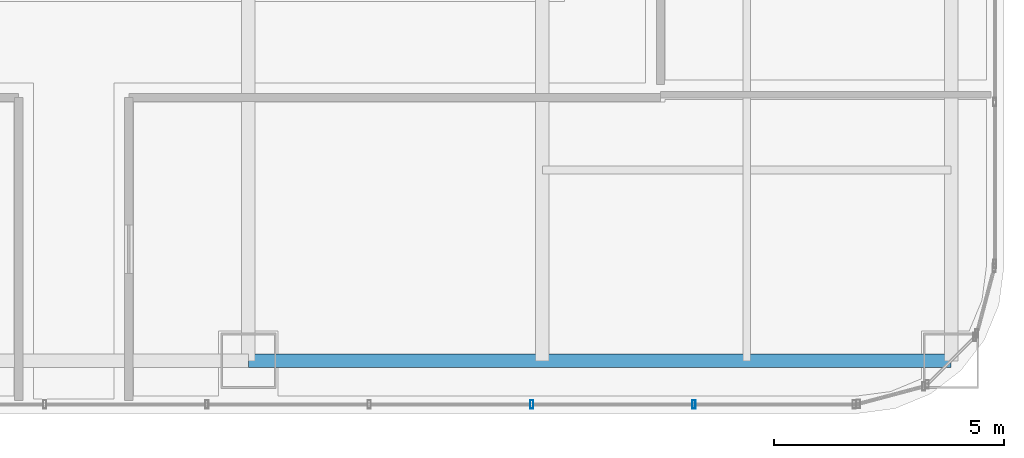
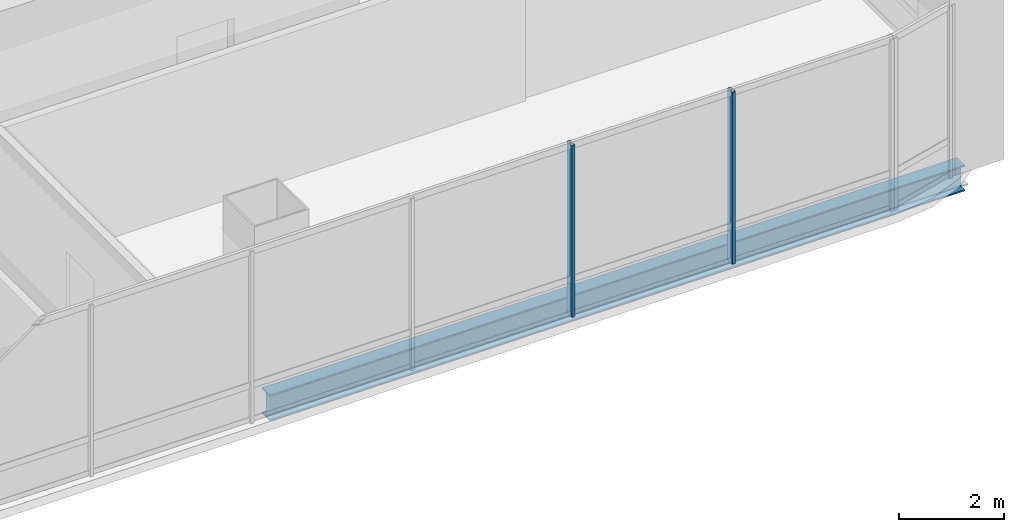
# One storey, part 15 of 41: 2 members, 1 beam, 1 element without a shape of its own.
"""IFC4 building model written with IfcOpenShell, lengths in metres."""

from ifc_helpers import new_model, si_unit, direction, frame, origin, origin_2d, place, context, subcontext, project, spatial, hollow_rectangle, i_section, extrude, material, material_profile, profile_set, type_object, element, aggregate, save


model = new_model("IFC4")

# Units and contexts
model_context = context("Model", 3, precision=1e-05, world=origin(), true_north=direction((0.0, 1.0)))
body_context = subcontext(model_context, "Body", "Model", "MODEL_VIEW")
ifc_project = project(units=[si_unit("LENGTHUNIT", "METRE"), si_unit("AREAUNIT", "SQUARE_METRE"), si_unit("VOLUMEUNIT", "CUBIC_METRE"), si_unit("PLANEANGLEUNIT", "RADIAN"), si_unit("MASSUNIT", "GRAM", prefix="KILO")], contexts=[model_context])

# Site, building, storey
site_placement = place(None, origin())
site = spatial("IfcSite", under=ifc_project, at=site_placement, CompositionType="ELEMENT")
building_placement = place(site_placement, origin())
building = spatial("IfcBuilding", under=site, at=building_placement, Name="Punatoya Terracotta Tower", CompositionType="ELEMENT")
storey_placement = place(building_placement, frame((0.0, 0.0, 292.199951171875)))
storey = spatial("IfcBuildingStorey", under=building, at=storey_placement, Name="L69", CompositionType="ELEMENT", Elevation=292.199951171875)

# Beam
ifc_material_1 = material(Name="Steel S355", Category="steel")
ifc_material_profile_1 = material_profile(ifc_material_1, i_section(OverallWidth=0.300048828125, OverallDepth=0.60009765625, WebThickness=0.015380859375, FlangeThickness=0.030029296875, FilletRadius=0.01806640625, at=origin_2d()))
ifc_profile_set_1 = profile_set([ifc_material_profile_1], Name="Steel S355")
beam_type = type_object("IfcBeamType", Name="BM-PRI-600", PredefinedType="BEAM", material=ifc_profile_set_1)
beam_placement = place(storey_placement, frame((3.800048828125, -17.5, -0.5), z_axis=(1.0, 0.0, 0.0), x_axis=(0.0, 1.0, 0.0)))
element("IfcBeam", 1, at=beam_placement, inside=storey, type_object=beam_type, Name="BM-L69-RG-S3", PredefinedType="BEAM", context=body_context, shape_type="SweptSolid", body=[
    extrude(i_section(OverallWidth=0.300048828125, OverallDepth=0.60009765625, WebThickness=0.015380859375, FlangeThickness=0.030029296875, FilletRadius=0.01806640625, at=origin_2d()), origin(), (0.0, 0.0, 1.0), 15.300048828125),
])

# Curtain wall, members
ifc_material_2 = material(Name="Aluminium 6063-T6 + Double Low-E Glass", Category="aluminium")
curtain_wall_type = type_object("IfcCurtainWallType", Name="CW-M3", PredefinedType="NOTDEFINED", material=ifc_material_2)
curtain_wall_placement = place(storey_placement, origin())
curtain_wall = element("IfcCurtainWall", 2, at=curtain_wall_placement, inside=storey, type_object=curtain_wall_type, Name="L69 Curtain Wall CW-L69-S01-1", PredefinedType="NOTDEFINED")
ifc_material_3 = material(Name="Aluminium 6063-T6", Category="aluminium")
ifc_material_profile_2 = material_profile(ifc_material_3, hollow_rectangle(XDim=0.070068359375, YDim=0.179931640625, WallThickness=0.00390625, at=origin_2d()))
ifc_profile_set_2 = profile_set([ifc_material_profile_2], Name="Aluminium 6063-T6")
member_type = type_object("IfcMemberType", Name="CW-MUL-M3", PredefinedType="MULLION", material=ifc_profile_set_2)
member_1_placement = place(storey_placement, frame((9.968994140625, -18.449951171875, 0.0), z_axis=(0.0, 0.0, 1.0), x_axis=(1.0, 0.0, 0.0)))
member_1 = element("IfcMember", 3, at=member_1_placement, type_object=member_type, Name="CW-L69-S01-1 Mullion 09", PredefinedType="MULLION", context=body_context, shape_type="SweptSolid", body=[
    extrude(hollow_rectangle(XDim=0.070068359375, YDim=0.179931640625, WallThickness=0.00390625, at=origin_2d()), origin(), (0.0, 0.0, 1.0), 4.0),
])
member_2_placement = place(storey_placement, frame((13.5029296875, -18.449951171875, 0.0), z_axis=(0.0, 0.0, 1.0), x_axis=(1.0, 0.0, 0.0)))
member_2 = element("IfcMember", 4, at=member_2_placement, type_object=member_type, Name="CW-L69-S01-1 Mullion 10", PredefinedType="MULLION", context=body_context, shape_type="SweptSolid", body=[
    extrude(hollow_rectangle(XDim=0.070068359375, YDim=0.179931640625, WallThickness=0.00390625, at=origin_2d()), origin(), (0.0, 0.0, 1.0), 4.0),
])
aggregate(curtain_wall, [member_1, member_2])

save(model, "model.ifc")
